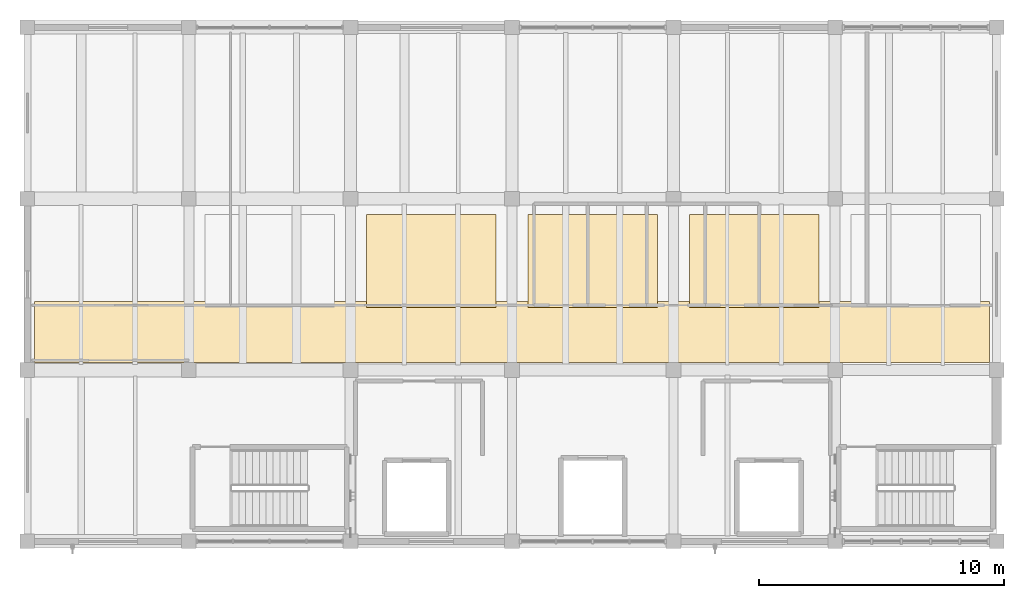
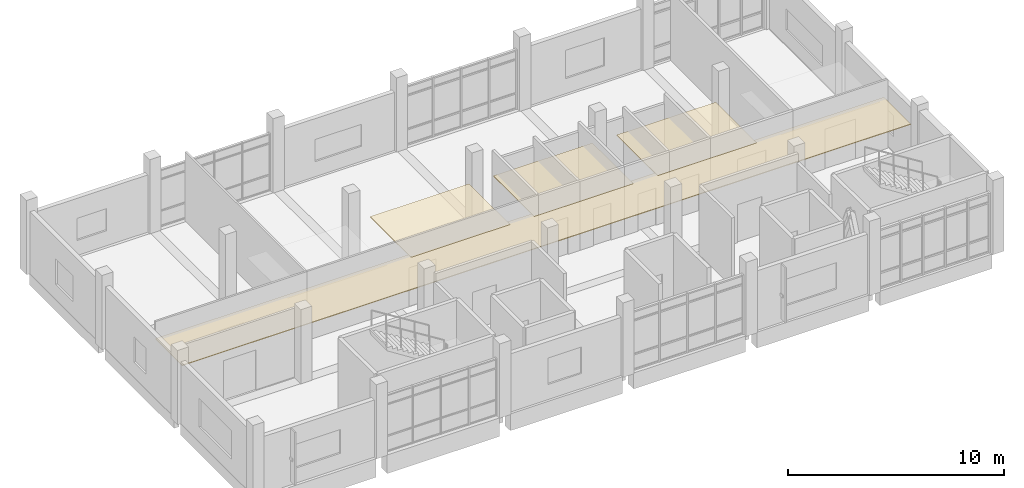
# One storey, part 13 of 14: 4 coverings.
"""IFC4 building model written with IfcOpenShell, lengths in metres."""

from ifc_helpers import new_model, si_unit, direction, frame, origin, place, context, subcontext, project, spatial, polyline, outline, extrude, material, layer, layer_set, type_object, element, save


model = new_model("IFC4")

# Units and contexts
model_context = context("Model", 3, precision=1e-05, world=origin(), true_north=direction((0.0, 1.0)))
body_context = subcontext(model_context, "Body", "Model", "MODEL_VIEW")
ifc_project = project(units=[si_unit("LENGTHUNIT", "METRE"), si_unit("AREAUNIT", "SQUARE_METRE"), si_unit("VOLUMEUNIT", "CUBIC_METRE"), si_unit("PLANEANGLEUNIT", "RADIAN"), si_unit("MASSUNIT", "GRAM", prefix="KILO")], contexts=[model_context])

# Site, building, storey
site_placement = place(None, origin())
site = spatial("IfcSite", under=ifc_project, at=site_placement, CompositionType="ELEMENT")
building_placement = place(site_placement, origin())
building = spatial("IfcBuilding", under=site, at=building_placement, Name="Ciguamira Faculty of Natural Sciences", CompositionType="ELEMENT")
storey_placement = place(building_placement, frame((0.0, 0.0, 33.60009765625)))
storey = spatial("IfcBuildingStorey", under=building, at=storey_placement, Name="L08", CompositionType="ELEMENT", Elevation=33.60009765625)

# Coverings
ifc_material = material(Name="Perforated white acoustic ceiling")
ifc_layer = layer(ifc_material, 0.0400390625, Name="Perforated white acoustic ceiling")
ifc_layer_set = layer_set([ifc_layer], Name="Perforated white acoustic ceiling")
covering_type = type_object("IfcCoveringType", Name="AcousticCeiling_AC01", PredefinedType="CEILING", material=ifc_layer_set)
covering_1_placement = place(storey_placement, frame((0.0, 0.0, 2.760009765625)))
element("IfcCovering", 1, at=covering_1_placement, inside=storey, type_object=covering_type, Name="L08 corridor acoustic ceiling", PredefinedType="CEILING", context=body_context, shape_type="SweptSolid", body=[
    extrude(outline(polyline([(64.199951171875, 101.300048828125), (103.199951171875, 101.300048828125), (103.199951171875, 103.800048828125), (64.199951171875, 103.800048828125), (64.199951171875, 101.300048828125)])), origin(), (0.0, 0.0, 1.0), 0.039794921875),
])
covering_2_placement = place(storey_placement, frame((0.0, 0.0, 2.760009765625)))
element("IfcCovering", 2, at=covering_2_placement, inside=storey, type_object=covering_type, Name="L08 research bay 02 acoustic ceiling", PredefinedType="CEILING", context=body_context, shape_type="SweptSolid", body=[
    extrude(outline(polyline([(77.75, 103.550048828125), (83.050048828125, 103.550048828125), (83.050048828125, 107.35009765625), (77.75, 107.35009765625), (77.75, 103.550048828125)])), origin(), (0.0, 0.0, 1.0), 0.039794921875),
])
covering_3_placement = place(storey_placement, frame((0.0, 0.0, 2.760009765625)))
element("IfcCovering", 3, at=covering_3_placement, inside=storey, type_object=covering_type, Name="L08 research bay 03 acoustic ceiling", PredefinedType="CEILING", context=body_context, shape_type="SweptSolid", body=[
    extrude(outline(polyline([(84.35009765625, 103.550048828125), (89.64990234375, 103.550048828125), (89.64990234375, 107.35009765625), (84.35009765625, 107.35009765625), (84.35009765625, 103.550048828125)])), origin(), (0.0, 0.0, 1.0), 0.039794921875),
])
covering_4_placement = place(storey_placement, frame((0.0, 0.0, 2.760009765625)))
element("IfcCovering", 4, at=covering_4_placement, inside=storey, type_object=covering_type, Name="L08 research bay 04 acoustic ceiling", PredefinedType="CEILING", context=body_context, shape_type="SweptSolid", body=[
    extrude(outline(polyline([(90.949951171875, 103.550048828125), (96.25, 103.550048828125), (96.25, 107.35009765625), (90.949951171875, 107.35009765625), (90.949951171875, 103.550048828125)])), origin(), (0.0, 0.0, 1.0), 0.039794921875),
])

save(model, "model.ifc")
